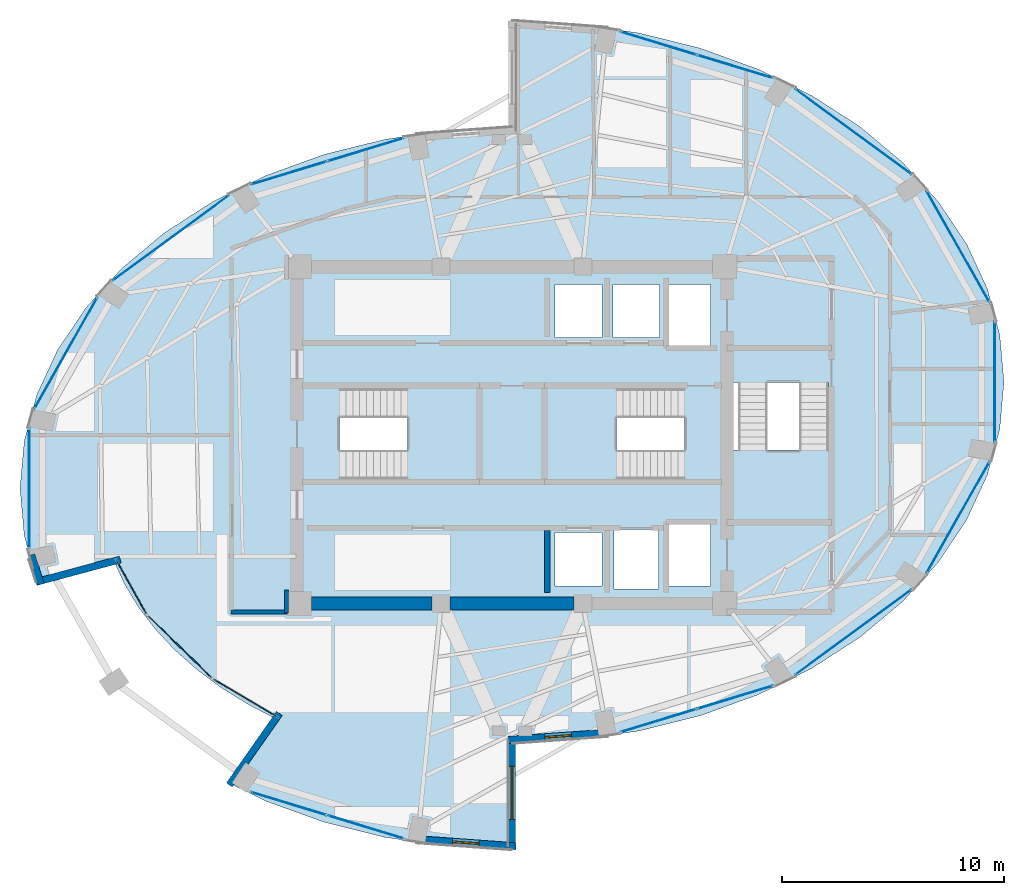
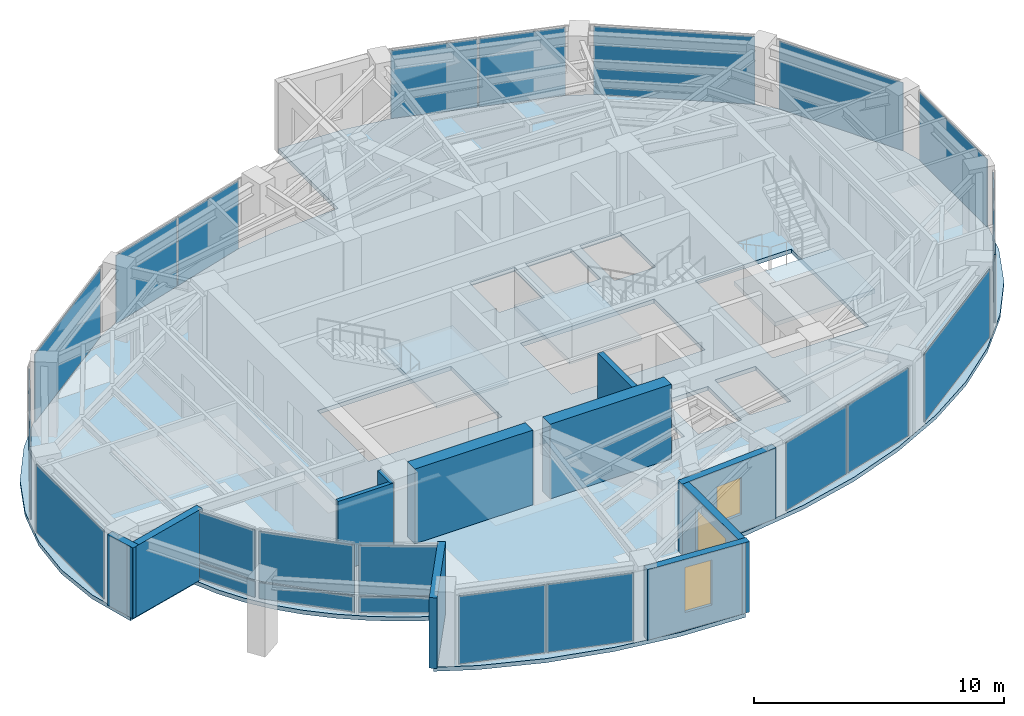
# One storey, part 16 of 21: 22 plates, 11 walls, 4 slabs, 3 windows, 3 openings, 18 elements without a shape of their own.
"""IFC4 building model written with IfcOpenShell, lengths in metres."""

from ifc_helpers import new_model, si_unit, direction, frame, frame_2d, origin, origin_2d, place, context, subcontext, project, spatial, polyline, rectangle, outline, extrude, material, layer, layer_set, type_object, element, fill, aggregate, save


model = new_model("IFC4")

# Units and contexts
model_context = context("Model", 3, precision=1e-05, world=origin(), true_north=direction((0.0, 1.0)))
body_context = subcontext(model_context, "Body", "Model", "MODEL_VIEW")
ifc_project = project(units=[si_unit("LENGTHUNIT", "METRE"), si_unit("AREAUNIT", "SQUARE_METRE"), si_unit("VOLUMEUNIT", "CUBIC_METRE"), si_unit("PLANEANGLEUNIT", "RADIAN"), si_unit("MASSUNIT", "GRAM", prefix="KILO")], contexts=[model_context])

# Site, building, storey
site_placement = place(None, origin())
site = spatial("IfcSite", under=ifc_project, at=site_placement, CompositionType="ELEMENT")
building_placement = place(site_placement, origin())
building = spatial("IfcBuilding", under=site, at=building_placement, Name="Lazwardi Medical Tower", CompositionType="ELEMENT")
storey_placement = place(building_placement, frame((0.0, 0.0, 220.367919921875)))
storey = spatial("IfcBuildingStorey", under=building, at=storey_placement, Name="L57", CompositionType="ELEMENT", Elevation=220.367919921875)

# Curtain wall, plates
ifc_material_1 = material(Name="Anodised bronze aluminium and solar control glazing", Category="aluminium")
ifc_layer_1 = layer(ifc_material_1, 0.18994140625)
ifc_layer_set_1 = layer_set([ifc_layer_1], Name="Anodised bronze aluminium and solar control glazing")
curtain_wall_type_1 = type_object("IfcCurtainWallType", Name="CW-SYS-04", PredefinedType="NOTDEFINED", material=ifc_layer_set_1)
curtain_wall_1_placement = place(storey_placement, origin())
curtain_wall_1 = element("IfcCurtainWall", 1, at=curtain_wall_1_placement, inside=storey, type_object=curtain_wall_type_1, Name="L57 Unitised bronze curtain wall CW-04", PredefinedType="NOTDEFINED")
ifc_material_2 = material(Name="Low-e bronze solar control double glazing", Category="glass")
ifc_layer_2 = layer(ifc_material_2, 0.035888671875)
ifc_layer_set_2 = layer_set([ifc_layer_2], Name="Low-e bronze solar control double glazing")
plate_type_1 = type_object("IfcPlateType", Name="PLT-GLZ-01", PredefinedType="CURTAIN_PANEL", material=ifc_layer_set_2)
plate_1_placement = place(storey_placement, frame((42.604736328125, 15.118896484375, 0.06494140625), z_axis=(0.0, 0.0, 1.0), x_axis=(0.956850126972, 0.290581889515, 0.0)))
plate_1 = element("IfcPlate", 2, at=plate_1_placement, type_object=plate_type_1, Name="CW-04 panel 1.1", PredefinedType="CURTAIN_PANEL", context=body_context, shape_type="SweptSolid", body=[
    extrude(rectangle(XDim=3.554443359375, YDim=0.035888671875, at=origin_2d()), origin(), (0.0, 0.0, 1.0), 3.318115234375),
])
plate_2_placement = place(storey_placement, frame((46.068115234375, 16.170654296875, 0.06494140625), z_axis=(0.0, 0.0, 1.0), x_axis=(0.956850126972, 0.290581889515, 0.0)))
plate_2 = element("IfcPlate", 3, at=plate_2_placement, type_object=plate_type_1, Name="CW-04 panel 2.1", PredefinedType="CURTAIN_PANEL", context=body_context, shape_type="SweptSolid", body=[
    extrude(rectangle(XDim=3.554443359375, YDim=0.035888671875, at=origin_2d()), origin(), (0.0, 0.0, 1.0), 3.318115234375),
])
aggregate(curtain_wall_1, [plate_1, plate_2])

# Curtain wall, plate
curtain_wall_2_placement = place(storey_placement, origin())
curtain_wall_2 = element("IfcCurtainWall", 4, at=curtain_wall_2_placement, inside=storey, type_object=curtain_wall_type_1, Name="L57 Unitised bronze curtain wall CW-04", PredefinedType="NOTDEFINED")
plate_3_placement = place(storey_placement, frame((51.403564453125, 19.106689453125, 0.06494140625), z_axis=(0.0, 0.0, 1.0), x_axis=(0.806474971121, 0.591268230971, 0.0)))
plate_3 = element("IfcPlate", 5, at=plate_3_placement, type_object=plate_type_1, Name="CW-04 panel 1.1", PredefinedType="CURTAIN_PANEL", context=body_context, shape_type="SweptSolid", body=[
    extrude(rectangle(XDim=6.502685546875, YDim=0.035888671875, at=origin_2d()), origin(), (0.0, 0.0, 1.0), 3.318115234375),
])
aggregate(curtain_wall_2, [plate_3])

curtain_wall_3_placement = place(storey_placement, origin())
curtain_wall_3 = element("IfcCurtainWall", 6, at=curtain_wall_3_placement, inside=storey, type_object=curtain_wall_type_1, Name="L57 Unitised bronze curtain wall CW-04", PredefinedType="NOTDEFINED")
plate_4_placement = place(storey_placement, frame((56.125732421875, 24.2880859375, 0.06494140625), z_axis=(0.0, 0.0, 1.0), x_axis=(0.491900474661, 0.870651436011, 0.0)))
plate_4 = element("IfcPlate", 7, at=plate_4_placement, type_object=plate_type_1, Name="CW-04 panel 1.1", PredefinedType="CURTAIN_PANEL", context=body_context, shape_type="SweptSolid", body=[
    extrude(rectangle(XDim=5.755126953125, YDim=0.035888671875, at=origin_2d()), origin(), (0.0, 0.0, 1.0), 3.318115234375),
])
aggregate(curtain_wall_3, [plate_4])

curtain_wall_4_placement = place(storey_placement, origin())
curtain_wall_4 = element("IfcCurtainWall", 8, at=curtain_wall_4_placement, inside=storey, type_object=curtain_wall_type_1, Name="L57 Unitised bronze curtain wall CW-04", PredefinedType="NOTDEFINED")
plate_5_placement = place(storey_placement, frame((57.7841796875, 30.39990234375, 0.06494140625), z_axis=(0.0, 0.0, 1.0), x_axis=(0.0, 1.0, 0.0)))
plate_5 = element("IfcPlate", 9, at=plate_5_placement, type_object=plate_type_1, Name="CW-04 panel 1.1", PredefinedType="CURTAIN_PANEL", context=body_context, shape_type="SweptSolid", body=[
    extrude(rectangle(XDim=5.416015625, YDim=0.035888671875, at=origin_2d()), origin(), (0.0, 0.0, 1.0), 3.318115234375),
])
aggregate(curtain_wall_4, [plate_5])

curtain_wall_5_placement = place(storey_placement, origin())
curtain_wall_5 = element("IfcCurtainWall", 10, at=curtain_wall_5_placement, inside=storey, type_object=curtain_wall_type_1, Name="L57 Unitised bronze curtain wall CW-04", PredefinedType="NOTDEFINED")
plate_6_placement = place(storey_placement, frame((56.125732421875, 36.511962890625, 0.06494140625), z_axis=(0.0, 0.0, 1.0), x_axis=(-0.491900474661, 0.870651436011, 0.0)))
plate_6 = element("IfcPlate", 11, at=plate_6_placement, type_object=plate_type_1, Name="CW-04 panel 1.1", PredefinedType="CURTAIN_PANEL", context=body_context, shape_type="SweptSolid", body=[
    extrude(rectangle(XDim=5.755126953125, YDim=0.035888671875, at=origin_2d()), origin(), (0.0, 0.0, 1.0), 3.318115234375),
])
aggregate(curtain_wall_5, [plate_6])

curtain_wall_6_placement = place(storey_placement, origin())
curtain_wall_6 = element("IfcCurtainWall", 12, at=curtain_wall_6_placement, inside=storey, type_object=curtain_wall_type_1, Name="L57 Unitised bronze curtain wall CW-04", PredefinedType="NOTDEFINED")
plate_7_placement = place(storey_placement, frame((51.403564453125, 41.693359375, 0.06494140625), z_axis=(0.0, 0.0, 1.0), x_axis=(-0.806474971121, 0.591268230971, 0.0)))
plate_7 = element("IfcPlate", 13, at=plate_7_placement, type_object=plate_type_1, Name="CW-04 panel 1.1", PredefinedType="CURTAIN_PANEL", context=body_context, shape_type="SweptSolid", body=[
    extrude(rectangle(XDim=6.502685546875, YDim=0.035888671875, at=origin_2d()), origin(), (0.0, 0.0, 1.0), 3.318115234375),
])
aggregate(curtain_wall_6, [plate_7])

# Curtain wall, plates
curtain_wall_7_placement = place(storey_placement, origin())
curtain_wall_7 = element("IfcCurtainWall", 14, at=curtain_wall_7_placement, inside=storey, type_object=curtain_wall_type_1, Name="L57 Unitised bronze curtain wall CW-04", PredefinedType="NOTDEFINED")
plate_8_placement = place(storey_placement, frame((46.068115234375, 44.62939453125, 0.06494140625), z_axis=(0.0, 0.0, 1.0), x_axis=(-0.956850126972, 0.290581889515, 0.0)))
plate_8 = element("IfcPlate", 15, at=plate_8_placement, type_object=plate_type_1, Name="CW-04 panel 1.1", PredefinedType="CURTAIN_PANEL", context=body_context, shape_type="SweptSolid", body=[
    extrude(rectangle(XDim=3.554443359375, YDim=0.035888671875, at=origin_2d()), origin(), (0.0, 0.0, 1.0), 3.318115234375),
])
plate_9_placement = place(storey_placement, frame((42.604736328125, 45.68115234375, 0.06494140625), z_axis=(0.0, 0.0, 1.0), x_axis=(-0.956850126972, 0.290581889515, 0.0)))
plate_9 = element("IfcPlate", 16, at=plate_9_placement, type_object=plate_type_1, Name="CW-04 panel 2.1", PredefinedType="CURTAIN_PANEL", context=body_context, shape_type="SweptSolid", body=[
    extrude(rectangle(XDim=3.554443359375, YDim=0.035888671875, at=origin_2d()), origin(), (0.0, 0.0, 1.0), 3.318115234375),
])
aggregate(curtain_wall_7, [plate_8, plate_9])

curtain_wall_8_placement = place(storey_placement, origin())
curtain_wall_8 = element("IfcCurtainWall", 17, at=curtain_wall_8_placement, inside=storey, type_object=curtain_wall_type_1, Name="L57 Unitised bronze curtain wall CW-04", PredefinedType="NOTDEFINED")
plate_10_placement = place(storey_placement, frame((29.395263671875, 40.881103515625, 0.06494140625), z_axis=(0.0, 0.0, 1.0), x_axis=(-0.956850126972, -0.290581889515, 0.0)))
plate_10 = element("IfcPlate", 18, at=plate_10_placement, type_object=plate_type_1, Name="CW-04 panel 1.1", PredefinedType="CURTAIN_PANEL", context=body_context, shape_type="SweptSolid", body=[
    extrude(rectangle(XDim=3.554443359375, YDim=0.035888671875, at=origin_2d()), origin(), (0.0, 0.0, 1.0), 3.318115234375),
])
plate_11_placement = place(storey_placement, frame((25.931884765625, 39.829345703125, 0.06494140625), z_axis=(0.0, 0.0, 1.0), x_axis=(-0.956850126972, -0.290581889515, 0.0)))
plate_11 = element("IfcPlate", 19, at=plate_11_placement, type_object=plate_type_1, Name="CW-04 panel 2.1", PredefinedType="CURTAIN_PANEL", context=body_context, shape_type="SweptSolid", body=[
    extrude(rectangle(XDim=3.554443359375, YDim=0.035888671875, at=origin_2d()), origin(), (0.0, 0.0, 1.0), 3.318115234375),
])
aggregate(curtain_wall_8, [plate_10, plate_11])

# Curtain wall, plate
curtain_wall_9_placement = place(storey_placement, origin())
curtain_wall_9 = element("IfcCurtainWall", 20, at=curtain_wall_9_placement, inside=storey, type_object=curtain_wall_type_1, Name="L57 Unitised bronze curtain wall CW-04", PredefinedType="NOTDEFINED")
plate_12_placement = place(storey_placement, frame((20.596435546875, 36.893310546875, 0.06494140625), z_axis=(0.0, 0.0, 1.0), x_axis=(-0.806474971121, -0.591268230971, 0.0)))
plate_12 = element("IfcPlate", 21, at=plate_12_placement, type_object=plate_type_1, Name="CW-04 panel 1.1", PredefinedType="CURTAIN_PANEL", context=body_context, shape_type="SweptSolid", body=[
    extrude(rectangle(XDim=6.502685546875, YDim=0.035888671875, at=origin_2d()), origin(), (0.0, 0.0, 1.0), 3.318115234375),
])
aggregate(curtain_wall_9, [plate_12])

curtain_wall_10_placement = place(storey_placement, origin())
curtain_wall_10 = element("IfcCurtainWall", 22, at=curtain_wall_10_placement, inside=storey, type_object=curtain_wall_type_1, Name="L57 Unitised bronze curtain wall CW-04", PredefinedType="NOTDEFINED")
plate_13_placement = place(storey_placement, frame((15.874267578125, 31.7119140625, 0.06494140625), z_axis=(0.0, 0.0, 1.0), x_axis=(-0.491900474661, -0.870651436011, 0.0)))
plate_13 = element("IfcPlate", 23, at=plate_13_placement, type_object=plate_type_1, Name="CW-04 panel 1.1", PredefinedType="CURTAIN_PANEL", context=body_context, shape_type="SweptSolid", body=[
    extrude(rectangle(XDim=5.755126953125, YDim=0.035888671875, at=origin_2d()), origin(), (0.0, 0.0, 1.0), 3.318115234375),
])
aggregate(curtain_wall_10, [plate_13])

curtain_wall_11_placement = place(storey_placement, origin())
curtain_wall_11 = element("IfcCurtainWall", 24, at=curtain_wall_11_placement, inside=storey, type_object=curtain_wall_type_1, Name="L57 Unitised bronze curtain wall CW-04", PredefinedType="NOTDEFINED")
plate_14_placement = place(storey_placement, frame((14.2158203125, 25.60009765625, 0.06494140625), z_axis=(0.0, 0.0, 1.0), x_axis=(0.0, -1.0, 0.0)))
plate_14 = element("IfcPlate", 25, at=plate_14_placement, type_object=plate_type_1, Name="CW-04 panel 1.1", PredefinedType="CURTAIN_PANEL", context=body_context, shape_type="SweptSolid", body=[
    extrude(rectangle(XDim=5.416015625, YDim=0.035888671875, at=origin_2d()), origin(), (0.0, 0.0, 1.0), 3.318115234375),
])
aggregate(curtain_wall_11, [plate_14])

# Curtain wall, plates
curtain_wall_12_placement = place(storey_placement, origin())
curtain_wall_12 = element("IfcCurtainWall", 26, at=curtain_wall_12_placement, inside=storey, type_object=curtain_wall_type_1, Name="L57 Unitised bronze curtain wall CW-04", PredefinedType="NOTDEFINED")
plate_15_placement = place(storey_placement, frame((25.931884765625, 11.37060546875, 0.06494140625), z_axis=(0.0, 0.0, 1.0), x_axis=(0.956850126972, -0.290581889515, 0.0)))
plate_15 = element("IfcPlate", 27, at=plate_15_placement, type_object=plate_type_1, Name="CW-04 panel 1.1", PredefinedType="CURTAIN_PANEL", context=body_context, shape_type="SweptSolid", body=[
    extrude(rectangle(XDim=3.554443359375, YDim=0.035888671875, at=origin_2d()), origin(), (0.0, 0.0, 1.0), 3.318115234375),
])
plate_16_placement = place(storey_placement, frame((29.395263671875, 10.31884765625, 0.06494140625), z_axis=(0.0, 0.0, 1.0), x_axis=(0.956850126972, -0.290581889515, 0.0)))
plate_16 = element("IfcPlate", 28, at=plate_16_placement, type_object=plate_type_1, Name="CW-04 panel 2.1", PredefinedType="CURTAIN_PANEL", context=body_context, shape_type="SweptSolid", body=[
    extrude(rectangle(XDim=3.554443359375, YDim=0.035888671875, at=origin_2d()), origin(), (0.0, 0.0, 1.0), 3.318115234375),
])
aggregate(curtain_wall_12, [plate_15, plate_16])

ifc_layer_3 = layer(ifc_material_1, 0.239990234375)
ifc_layer_set_3 = layer_set([ifc_layer_3], Name="Anodised bronze aluminium and solar control glazing")
curtain_wall_type_2 = type_object("IfcCurtainWallType", Name="CW-SYS-05", PredefinedType="NOTDEFINED", material=ifc_layer_set_3)
curtain_wall_13_placement = place(storey_placement, origin())
curtain_wall_13 = element("IfcCurtainWall", 29, at=curtain_wall_13_placement, inside=storey, type_object=curtain_wall_type_2, Name="L57 Unitised bronze curtain wall CW-05", PredefinedType="NOTDEFINED")
ifc_material_3 = material(Name="Laminated acoustic bronze double glazing", Category="glass")
ifc_layer_4 = layer(ifc_material_3, 0.0419921875)
ifc_layer_set_4 = layer_set([ifc_layer_4], Name="Laminated acoustic bronze double glazing")
plate_type_2 = type_object("IfcPlateType", Name="PLT-GLZ-02", PredefinedType="CURTAIN_PANEL", material=ifc_layer_set_4)
plate_17_placement = place(storey_placement, frame((18.842041015625, 21.116455078125, 0.085205078125), z_axis=(0.0, 0.0, 1.0), x_axis=(0.491175574998, -0.871060591765, 0.0)))
plate_17 = element("IfcPlate", 30, at=plate_17_placement, type_object=plate_type_2, Name="CW-05 panel 1.1", PredefinedType="CURTAIN_PANEL", context=body_context, shape_type="SweptSolid", body=[
    extrude(rectangle(XDim=2.648681640625, YDim=0.0419921875, at=origin_2d()), origin(), (0.0, 0.0, 1.0), 0.7724609375),
])
plate_18_placement = place(storey_placement, frame((18.842041015625, 21.116455078125, 0.942626953125), z_axis=(0.0, 0.0, 1.0), x_axis=(0.491175574998, -0.871060591765, 0.0)))
plate_18 = element("IfcPlate", 31, at=plate_18_placement, type_object=plate_type_2, Name="CW-05 panel 1.2", PredefinedType="CURTAIN_PANEL", context=body_context, shape_type="SweptSolid", body=[
    extrude(rectangle(XDim=2.648681640625, YDim=0.0419921875, at=origin_2d()), origin(), (0.0, 0.0, 1.0), 2.42041015625),
])
aggregate(curtain_wall_13, [plate_17, plate_18])

curtain_wall_14_placement = place(storey_placement, origin())
curtain_wall_14 = element("IfcCurtainWall", 32, at=curtain_wall_14_placement, inside=storey, type_object=curtain_wall_type_2, Name="L57 Unitised bronze curtain wall CW-05", PredefinedType="NOTDEFINED")
plate_19_placement = place(storey_placement, frame((23.9423828125, 16.15771484375, 0.085205078125), z_axis=(0.0, 0.0, 1.0), x_axis=(0.860604932232, -0.509273159137, 0.0)))
plate_19 = element("IfcPlate", 33, at=plate_19_placement, type_object=plate_type_2, Name="CW-05 panel 1.1", PredefinedType="CURTAIN_PANEL", context=body_context, shape_type="SweptSolid", body=[
    extrude(rectangle(XDim=3.218017578125, YDim=0.0419921875, at=origin_2d()), origin(), (0.0, 0.0, 1.0), 0.7724609375),
])
plate_20_placement = place(storey_placement, frame((23.9423828125, 16.15771484375, 0.942626953125), z_axis=(0.0, 0.0, 1.0), x_axis=(0.860604932232, -0.509273159137, 0.0)))
plate_20 = element("IfcPlate", 34, at=plate_20_placement, type_object=plate_type_2, Name="CW-05 panel 1.2", PredefinedType="CURTAIN_PANEL", context=body_context, shape_type="SweptSolid", body=[
    extrude(rectangle(XDim=3.218017578125, YDim=0.0419921875, at=origin_2d()), origin(), (0.0, 0.0, 1.0), 2.42041015625),
])
aggregate(curtain_wall_14, [plate_19, plate_20])

curtain_wall_15_placement = place(storey_placement, origin())
curtain_wall_15 = element("IfcCurtainWall", 35, at=curtain_wall_15_placement, inside=storey, type_object=curtain_wall_type_2, Name="L57 Unitised bronze curtain wall CW-05", PredefinedType="NOTDEFINED")
plate_21_placement = place(storey_placement, frame((21.009521484375, 18.45458984375, 0.085205078125), z_axis=(0.0, 0.0, 1.0), x_axis=(0.717012463225, -0.697060347158, 0.0)))
plate_21 = element("IfcPlate", 36, at=plate_21_placement, type_object=plate_type_2, Name="CW-05 panel 1.1", PredefinedType="CURTAIN_PANEL", context=body_context, shape_type="SweptSolid", body=[
    extrude(rectangle(XDim=3.94482421875, YDim=0.0419921875, at=origin_2d()), origin(), (0.0, 0.0, 1.0), 0.7724609375),
])
plate_22_placement = place(storey_placement, frame((21.009521484375, 18.45458984375, 0.942626953125), z_axis=(0.0, 0.0, 1.0), x_axis=(0.717012463225, -0.697060347158, 0.0)))
plate_22 = element("IfcPlate", 37, at=plate_22_placement, type_object=plate_type_2, Name="CW-05 panel 1.2", PredefinedType="CURTAIN_PANEL", context=body_context, shape_type="SweptSolid", body=[
    extrude(rectangle(XDim=3.94482421875, YDim=0.0419921875, at=origin_2d()), origin(), (0.0, 0.0, 1.0), 2.42041015625),
])
aggregate(curtain_wall_15, [plate_21, plate_22])

# Stair, slab
ifc_material_4 = material(Name="Concrete C45/55", Category="concrete")
stair_type = type_object("IfcStairType", Name="STR-WRD", PredefinedType="HALF_TURN_STAIR", material=ifc_material_4)
stair_1_placement = place(storey_placement, origin())
stair_1 = element("IfcStair", 38, at=stair_1_placement, inside=storey, type_object=stair_type, Name="L57 Protected Exit Stair ST1", PredefinedType="HALF_TURN_STAIR")
ifc_layer_5 = layer(ifc_material_4, 0.199951171875)
ifc_layer_set_5 = layer_set([ifc_layer_5], Name="Concrete C45/55")
slab_type_1 = type_object("IfcSlabType", Name="SLB-LND-190", PredefinedType="LANDING", material=ifc_layer_set_5)
slab_1_placement = place(storey_placement, frame((0.0, 0.0, 1.6240234375)))
slab_1 = element("IfcSlab", 39, at=slab_1_placement, type_object=slab_type_1, Name="ST1 landing 1", PredefinedType="LANDING", context=body_context, shape_type="SweptSolid", body=[
    extrude(outline(polyline([(31.27490234375, 25.840087890625), (34.580078125, 25.840087890625), (34.580078125, 30.280029296875), (31.27490234375, 30.280029296875), (31.27490234375, 25.840087890625)])), origin(), (0.0, 0.0, 1.0), 0.199951171875),
])
aggregate(stair_1, [slab_1])

stair_2_placement = place(storey_placement, origin())
stair_2 = element("IfcStair", 40, at=stair_2_placement, inside=storey, type_object=stair_type, Name="L57 Protected Exit Stair ST2", PredefinedType="HALF_TURN_STAIR")
slab_2_placement = place(storey_placement, frame((0.0, 0.0, 1.6240234375)))
slab_2 = element("IfcSlab", 41, at=slab_2_placement, type_object=slab_type_1, Name="ST2 landing 1", PredefinedType="LANDING", context=body_context, shape_type="SweptSolid", body=[
    extrude(outline(polyline([(40.72509765625, 30.280029296875), (37.419921875, 30.280029296875), (37.419921875, 25.840087890625), (40.72509765625, 25.840087890625), (40.72509765625, 30.280029296875)])), origin(), (0.0, 0.0, 1.0), 0.199951171875),
])
aggregate(stair_2, [slab_2])

stair_3_placement = place(storey_placement, origin())
stair_3 = element("IfcStair", 42, at=stair_3_placement, inside=storey, type_object=stair_type, Name="L57 Protected Exit Stair ST3", PredefinedType="HALF_TURN_STAIR")
slab_3_placement = place(storey_placement, frame((0.0, 0.0, 1.6240234375)))
slab_3 = element("IfcSlab", 43, at=slab_3_placement, type_object=slab_type_1, Name="ST3 landing 1", PredefinedType="LANDING", context=body_context, shape_type="SweptSolid", body=[
    extrude(outline(polyline([(45.860107421875, 27.324951171875), (45.860107421875, 24.02001953125), (50.4599609375, 24.02001953125), (50.4599609375, 27.324951171875), (45.860107421875, 27.324951171875)])), origin(), (0.0, 0.0, 1.0), 0.199951171875),
])
aggregate(stair_3, [slab_3])

# Slab
ifc_material_5 = material(Name="Concrete C50/60", Category="concrete")
ifc_layer_6 = layer(ifc_material_5, 0.199951171875)
ifc_layer_set_6 = layer_set([ifc_layer_6], Name="Concrete C50/60")
slab_type_2 = type_object("IfcSlabType", Name="SLB-UPP-200", PredefinedType="FLOOR", material=ifc_layer_set_6)
slab_4_placement = place(storey_placement, frame((0.0, 0.0, -0.199951171875)))
element("IfcSlab", 44, at=slab_4_placement, inside=storey, type_object=slab_type_2, Name="Structural floor slab SF-04 L57", PredefinedType="FLOOR", context=body_context, shape_type="SweptSolid", body=[
    extrude(outline(polyline([(22.485595703125, 38.53173828125), (20.30224609375, 37.125732421875), (18.3876953125, 35.522705078125), (16.774169921875, 33.75), (15.489990234375, 31.837646484375), (14.556396484375, 29.81884765625), (13.989990234375, 27.7275390625), (13.800048828125, 25.60009765625), (13.989990234375, 23.472412109375), (14.55517578125, 21.385986328125), (14.55517578125, 21.385986328125), (18.032470703125, 22.31787109375), (18.032958984375, 22.31787109375), (18.033447265625, 22.318115234375), (18.033935546875, 22.318115234375), (18.034423828125, 22.318115234375), (18.034912109375, 22.31787109375), (18.035400390625, 22.317626953125), (18.035888671875, 22.3173828125), (18.036376953125, 22.3173828125), (18.036865234375, 22.31689453125), (18.037109375, 22.316650390625), (18.03759765625, 22.31640625), (18.037841796875, 22.31591796875), (18.0380859375, 22.3154296875), (18.038330078125, 22.315185546875), (18.526123046875, 21.2587890625), (19.146728515625, 20.235595703125), (19.895751953125, 19.253173828125), (20.767333984375, 18.319091796875), (21.7548828125, 17.4404296875), (22.8505859375, 16.623779296875), (24.046630859375, 15.87548828125), (25.333740234375, 15.201171875), (25.334228515625, 15.200927734375), (25.334716796875, 15.20068359375), (25.3349609375, 15.2001953125), (25.33544921875, 15.199951171875), (25.335693359375, 15.19970703125), (25.3359375, 15.19921875), (25.336181640625, 15.19873046875), (25.336181640625, 15.1982421875), (25.33642578125, 15.19775390625), (25.33642578125, 15.197265625), (25.33642578125, 15.19677734375), (25.33642578125, 15.1962890625), (25.33642578125, 15.19580078125), (25.336181640625, 15.1953125), (25.336181640625, 15.19482421875), (25.3359375, 15.1943359375), (25.335693359375, 15.19384765625), (23.29052734375, 12.273193359375), (24.89990234375, 11.48388671875), (27.50439453125, 10.540771484375), (30.254150390625, 9.85546875), (33.102294921875, 9.439453125), (36.0, 9.300048828125), (36.0, 14.10009765625), (38.897705078125, 14.239501953125), (41.745849609375, 14.655517578125), (44.49560546875, 15.3408203125), (47.10009765625, 16.28369140625), (49.514404296875, 17.46826171875), (51.69775390625, 18.874267578125), (53.6123046875, 20.477294921875), (55.225830078125, 22.25), (56.510009765625, 24.162353515625), (57.443603515625, 26.18115234375), (58.010009765625, 28.2724609375), (58.199951171875, 30.39990234375), (58.010009765625, 32.527587890625), (57.443603515625, 34.618896484375), (56.510009765625, 36.6376953125), (55.225830078125, 38.550048828125), (53.6123046875, 40.32275390625), (51.69775390625, 41.92578125), (49.514404296875, 43.331787109375), (47.10009765625, 44.51611328125), (44.49560546875, 45.459228515625), (41.745849609375, 46.14453125), (38.897705078125, 46.560546875), (36.0, 46.699951171875), (36.0, 41.89990234375), (33.102294921875, 41.760498046875), (30.254150390625, 41.344482421875), (27.50439453125, 40.6591796875), (24.89990234375, 39.71630859375), (22.485595703125, 38.53173828125)]), holes=[polyline([(28.22509765625, 26.02001953125), (28.22509765625, 30.10009765625), (34.39990234375, 30.10009765625), (34.39990234375, 26.02001953125), (28.22509765625, 26.02001953125)]), polyline([(37.60009765625, 30.10009765625), (43.77490234375, 30.10009765625), (43.77490234375, 26.02001953125), (37.60009765625, 26.02001953125), (37.60009765625, 30.10009765625)]), polyline([(50.280029296875, 30.375), (50.280029296875, 24.179931640625), (45.840087890625, 24.179931640625), (45.840087890625, 30.375), (50.280029296875, 30.375)]), polyline([(40.050048828125, 32.39990234375), (37.949951171875, 32.39990234375), (37.949951171875, 34.800048828125), (40.050048828125, 34.800048828125), (40.050048828125, 32.39990234375)]), polyline([(40.550048828125, 32.39990234375), (40.550048828125, 34.800048828125), (42.64990234375, 34.800048828125), (42.64990234375, 32.39990234375), (40.550048828125, 32.39990234375)]), polyline([(37.949951171875, 23.60009765625), (40.050048828125, 23.60009765625), (40.050048828125, 21.199951171875), (37.949951171875, 21.199951171875), (37.949951171875, 23.60009765625)]), polyline([(44.949951171875, 34.800048828125), (44.949951171875, 32.0), (43.050048828125, 32.0), (43.050048828125, 34.800048828125), (44.949951171875, 34.800048828125)]), polyline([(44.949951171875, 21.199951171875), (43.050048828125, 21.199951171875), (43.050048828125, 24.0), (44.949951171875, 24.0), (44.949951171875, 21.199951171875)]), polyline([(40.60009765625, 21.050048828125), (40.60009765625, 23.75), (42.60009765625, 23.75), (42.60009765625, 21.050048828125), (40.60009765625, 21.050048828125)])]), origin(), (0.0, 0.0, 1.0), 0.199951171875),
])

# Walls
ifc_material_6 = material(Name="Fire-rated gypsum board on steel stud", Category="steel")
ifc_layer_7 = layer(ifc_material_6, 0.179931640625)
ifc_layer_set_7 = layer_set([ifc_layer_7], Name="Fire-rated gypsum board on steel stud")
wall_type_1 = type_object("IfcWallType", Name="WL-COR-180", PredefinedType="PARTITIONING", material=ifc_layer_set_7)
wall_1_placement = place(storey_placement, frame((25.830078125, 21.010009765625, 0.0), z_axis=(0.0, 0.0, 1.0), x_axis=(0.0, -1.0, 0.0)))
element("IfcWall", 45, at=wall_1_placement, inside=storey, type_object=wall_type_1, Name="L57 Corridor partition 8", PredefinedType="PARTITIONING", context=body_context, shape_type="SweptSolid", body=[
    extrude(rectangle(XDim=1.030029296875, YDim=0.179931640625, at=frame_2d((0.51513671875, 0.0))), origin(), (0.0, 0.0, 1.0), 3.447998046875),
])
wall_2_placement = place(storey_placement, frame((25.8701171875, 20.02001953125, 0.0), z_axis=(0.0, 0.0, 1.0), x_axis=(-1.0, 0.0, 0.0)))
element("IfcWall", 46, at=wall_2_placement, inside=storey, type_object=wall_type_1, Name="L57 Corridor partition 9", PredefinedType="PARTITIONING", context=body_context, shape_type="SweptSolid", body=[
    extrude(rectangle(XDim=2.56005859375, YDim=0.179931640625, at=frame_2d((1.280029296875, 0.0))), origin(), (0.0, 0.0, 1.0), 3.447998046875),
])
ifc_material_7 = material(Name="Concrete C60/75", Category="concrete")
ifc_layer_8 = layer(ifc_material_7, 0.60009765625)
ifc_layer_set_8 = layer_set([ifc_layer_8], Name="Concrete C60/75")
wall_type_2 = type_object("IfcWallType", Name="WL-CORE-600", PredefinedType="SHEAR", material=ifc_layer_set_8)
wall_3_placement = place(storey_placement, frame((26.949951171875, 20.39990234375, 0.0), z_axis=(0.0, 0.0, 1.0), x_axis=(1.0, 0.0, 0.0)))
element("IfcWall", 47, at=wall_3_placement, inside=storey, type_object=wall_type_2, Name="Core wall CW-S3 S1 L57", PredefinedType="SHEAR", context=body_context, shape_type="SweptSolid", body=[
    extrude(rectangle(XDim=5.449951171875, YDim=0.60009765625, at=frame_2d((2.72509765625, 0.0))), origin(), (0.0, 0.0, 1.0), 3.648193359375),
])
wall_4_placement = place(storey_placement, frame((33.199951171875, 20.39990234375, 0.0), z_axis=(0.0, 0.0, 1.0), x_axis=(1.0, 0.0, 0.0)))
element("IfcWall", 48, at=wall_4_placement, inside=storey, type_object=wall_type_2, Name="Core wall CW-S3 S2 L57", PredefinedType="SHEAR", context=body_context, shape_type="SweptSolid", body=[
    extrude(rectangle(XDim=5.60009765625, YDim=0.60009765625, at=frame_2d((2.800048828125, 0.0))), origin(), (0.0, 0.0, 1.0), 3.648193359375),
])

# Wall, opening, window
ifc_material_8 = material(Name="Precast concrete C45/55", Category="concrete")
ifc_layer_9 = layer(ifc_material_8, 0.320068359375)
ifc_layer_set_9 = layer_set([ifc_layer_9], Name="Precast concrete C45/55")
wall_type_3 = type_object("IfcWallType", Name="WL-IWAN-320", PredefinedType="SOLIDWALL", material=ifc_layer_set_9)
wall_5_placement = place(storey_placement, frame((35.820556640625, 14.2470703125, 0.0), z_axis=(0.0, 0.0, 1.0), x_axis=(0.997409061056, 0.071938619141, 0.0)))
wall_5 = element("IfcWall", 49, at=wall_5_placement, inside=storey, type_object=wall_type_3, Name="L57 Iwan Portal Return Wall SE_ret", PredefinedType="SOLIDWALL", context=body_context, shape_type="SweptSolid", body=[
    extrude(rectangle(XDim=4.540771484375, YDim=0.320068359375, at=frame_2d((2.2705078125, 0.0))), origin(), (0.0, 0.0, 1.0), 3.447998046875),
])
opening_1_placement = place(wall_5_placement, frame((1.67041015625, 0.0, 0.85009765625)))
opening_1 = element("IfcOpeningElement", 50, at=opening_1_placement, cuts=wall_5, Name="Opening WN-04", PredefinedType="OPENING", context=body_context, shape_type="SweptSolid", body=[
    extrude(rectangle(XDim=1.199951171875, YDim=1.800048828125, at=frame_2d((0.60009765625, 0.89990234375))), frame((0.0, 0.169921875, 0.0), z_axis=(0.0, -1.0, 0.0), x_axis=(1.0, 0.0, 0.0)), (0.0, 0.0, 1.0), 0.340087890625),
])
window_type_1 = type_object("IfcWindowType", Name="WIN-DRUM-1200", PartitioningType="SINGLE_PANEL", PredefinedType="WINDOW", material=ifc_material_2)
window_1_placement = place(opening_1_placement, origin())
window_1 = element("IfcWindow", 51, at=window_1_placement, inside=storey, type_object=window_type_1, Name="L57 Iwan Slot Window SE_ret", OverallHeight=1.800048828125, OverallWidth=1.199951171875, PartitioningType="SINGLE_PANEL", PredefinedType="WINDOW", context=body_context, shape_type="SweptSolid", body=[
    extrude(rectangle(XDim=1.199951171875, YDim=1.800048828125, at=frame_2d((0.60009765625, 0.89990234375))), frame((0.0, 0.030029296875, 0.0), z_axis=(0.0, -1.0, 0.0), x_axis=(1.0, 0.0, 0.0)), (0.0, 0.0, 1.0), 0.06005859375),
])
fill(opening_1, window_1)

wall_6_placement = place(storey_placement, frame((31.650390625, 9.773681640625, 0.0), z_axis=(0.0, 0.0, 1.0), x_axis=(0.997408782787, -0.071942477163, 0.0)))
wall_6 = element("IfcWall", 52, at=wall_6_placement, inside=storey, type_object=wall_type_3, Name="L57 Iwan Portal Return Wall SW_ret", PredefinedType="SOLIDWALL", context=body_context, shape_type="SweptSolid", body=[
    extrude(rectangle(XDim=4.54052734375, YDim=0.320068359375, at=frame_2d((2.270263671875, 0.0))), origin(), (0.0, 0.0, 1.0), 3.447998046875),
])
opening_2_placement = place(wall_6_placement, frame((1.67041015625, 0.0, 0.85009765625)))
opening_2 = element("IfcOpeningElement", 53, at=opening_2_placement, cuts=wall_6, Name="Opening WN-01", PredefinedType="OPENING", context=body_context, shape_type="SweptSolid", body=[
    extrude(rectangle(XDim=1.199951171875, YDim=2.199951171875, at=frame_2d((0.60009765625, 1.10009765625))), frame((0.0, 0.169921875, 0.0), z_axis=(0.0, -1.0, 0.0), x_axis=(1.0, 0.0, 0.0)), (0.0, 0.0, 1.0), 0.340087890625),
])
window_type_2 = type_object("IfcWindowType", Name="WIN-IW-1200", PartitioningType="SINGLE_PANEL", PredefinedType="WINDOW", material=ifc_material_2)
window_2_placement = place(opening_2_placement, origin())
window_2 = element("IfcWindow", 54, at=window_2_placement, inside=storey, type_object=window_type_2, Name="L57 Iwan Slot Window SW_ret", OverallHeight=2.199951171875, OverallWidth=1.199951171875, PartitioningType="SINGLE_PANEL", PredefinedType="WINDOW", context=body_context, shape_type="SweptSolid", body=[
    extrude(rectangle(XDim=1.199951171875, YDim=2.199951171875, at=frame_2d((0.60009765625, 1.10009765625))), frame((0.0, 0.030029296875, 0.0), z_axis=(0.0, -1.0, 0.0), x_axis=(1.0, 0.0, 0.0)), (0.0, 0.0, 1.0), 0.06005859375),
])
fill(opening_2, window_2)

wall_7_placement = place(storey_placement, frame((36.0, 9.300048828125, 0.0), z_axis=(0.0, 0.0, 1.0), x_axis=(0.0, 1.0, 0.0)))
wall_7 = element("IfcWall", 55, at=wall_7_placement, inside=storey, type_object=wall_type_3, Name="L57 Turquoise Tilework Iwan Seam Wall S_seam", PredefinedType="SOLIDWALL", context=body_context, shape_type="SweptSolid", body=[
    extrude(rectangle(XDim=5.119873046875, YDim=0.320068359375, at=frame_2d((2.56005859375, 0.0))), origin(), (0.0, 0.0, 1.0), 3.447998046875),
])
opening_3_placement = place(wall_7_placement, frame((1.360107421875, 0.0, 0.840087890625)))
opening_3 = element("IfcOpeningElement", 56, at=opening_3_placement, cuts=wall_7, Name="Opening WN-02", PredefinedType="OPENING", context=body_context, shape_type="SweptSolid", body=[
    extrude(rectangle(XDim=2.39990234375, YDim=2.0400390625, at=frame_2d((1.199951171875, 1.02001953125))), frame((0.0, 0.169921875, 0.0), z_axis=(0.0, -1.0, 0.0), x_axis=(1.0, 0.0, 0.0)), (0.0, 0.0, 1.0), 0.340087890625),
])
window_type_3 = type_object("IfcWindowType", Name="WIN-IW-2400", PartitioningType="SINGLE_PANEL", PredefinedType="WINDOW", material=ifc_material_2)
window_3_placement = place(opening_3_placement, origin())
window_3 = element("IfcWindow", 57, at=window_3_placement, inside=storey, type_object=window_type_3, Name="L57 Iwan Seam Window S_seam", OverallHeight=2.0400390625, OverallWidth=2.39990234375, PartitioningType="SINGLE_PANEL", PredefinedType="WINDOW", context=body_context, shape_type="SweptSolid", body=[
    extrude(rectangle(XDim=2.39990234375, YDim=2.0400390625, at=frame_2d((1.199951171875, 1.02001953125))), frame((0.0, 0.030029296875, 0.0), z_axis=(0.0, -1.0, 0.0), x_axis=(1.0, 0.0, 0.0)), (0.0, 0.0, 1.0), 0.06005859375),
])
fill(opening_3, window_3)

# Walls
for number, where, z_axis, x_axis, name in (
    (58, (14.517822265625, 21.370849609375, 0.0), (0.0, 0.0, 1.0), (0.965922604174, 0.258831069902, 0.0), "L57 Sky Garden SG4 Flank Wall S0"),
    (59, (23.24365234375, 12.215087890625, 0.0), (0.0, 0.0, 1.0), (0.573616208731, 0.81912419393, 0.0), "L57 Sky Garden SG4 Flank Wall S1"),
):
    element("IfcWall", number, at=place(storey_placement, frame(where, z_axis=z_axis, x_axis=x_axis)), inside=storey, type_object=wall_type_3, Name=name, PredefinedType="SOLIDWALL", context=body_context, shape_type="SweptSolid", body=[
        extrude(rectangle(XDim=3.93994140625, YDim=0.320068359375, at=frame_2d((1.969970703125, 0.0))), origin(), (0.0, 0.0, 1.0), 3.447998046875),
    ])
wall_8_placement = place(storey_placement, frame((14.3154296875, 22.599853515625, 0.0), z_axis=(0.0, 0.0, 1.0), x_axis=(0.303232429921, -0.952916624603, 0.0)))
element("IfcWall", 60, at=wall_8_placement, inside=storey, type_object=wall_type_3, Name="L57 Sky Garden SG4 Jamb Return Wall", PredefinedType="SOLIDWALL", context=body_context, shape_type="SweptSolid", body=[
    extrude(rectangle(XDim=1.40087890625, YDim=0.320068359375, at=frame_2d((0.700439453125, 0.0))), origin(), (0.0, 0.0, 1.0), 3.447998046875),
])
ifc_material_9 = material(Name="Autoclaved aerated concrete blockwork", Category="masonry")
ifc_layer_10 = layer(ifc_material_9, 0.25)
ifc_layer_set_10 = layer_set([ifc_layer_10], Name="Autoclaved aerated concrete blockwork")
wall_type_4 = type_object("IfcWallType", Name="WL-SHAFT-250", PredefinedType="SOLIDWALL", material=ifc_layer_set_10)
wall_9_placement = place(storey_placement, frame((37.60009765625, 20.89990234375, 0.0), z_axis=(0.0, 0.0, 1.0), x_axis=(0.0, 1.0, 0.0)))
element("IfcWall", 61, at=wall_9_placement, inside=storey, type_object=wall_type_4, Name="L57 South hoistway divider", PredefinedType="SOLIDWALL", context=body_context, shape_type="SweptSolid", body=[
    extrude(rectangle(XDim=2.800048828125, YDim=0.25, at=frame_2d((1.39990234375, 0.0))), origin(), (0.0, 0.0, 1.0), 3.447998046875),
])

save(model, "model.ifc")
